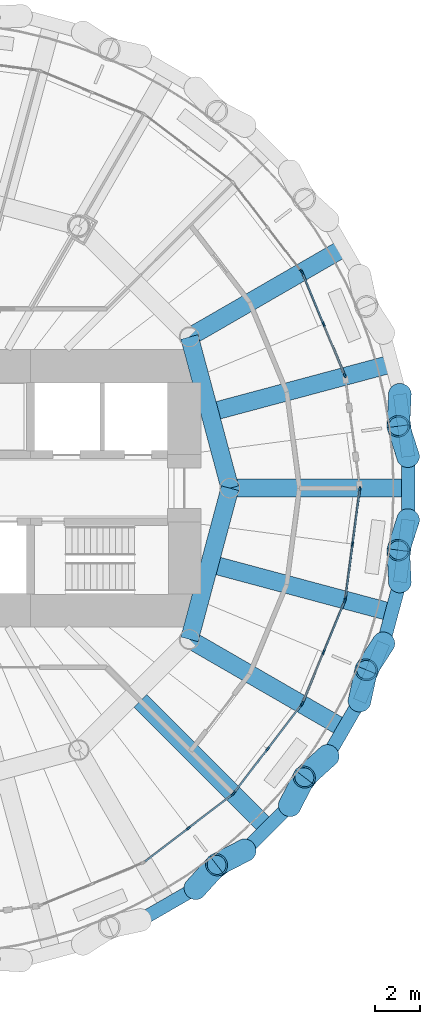
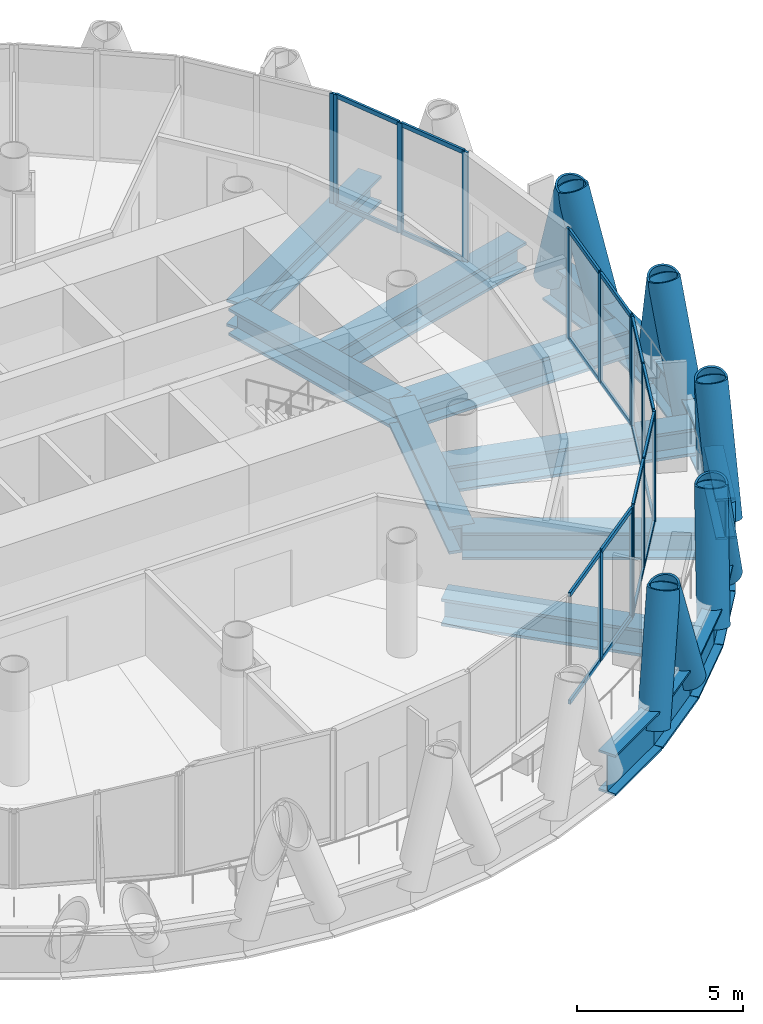
# One storey, part 5 of 15: 45 members, 18 beams, 6 elements without a shape of their own.
"""IFC4 building model written with IfcOpenShell, lengths in metres."""

import ifcopenshell
import ifcopenshell.guid

model = None  # the IFC model being written
_history = None  # IfcOwnerHistory: only IFC2X3 demands one
_inside = {}  # id of a spatial element -> (the spatial element, [elements in it])
_under = {}  # id of a project, library or spatial element -> (it, [spatial elements below it])
_declared = {}  # id of a project -> (the project, [libraries it declares])
_typed = {}  # id of a type object -> (the type object, [elements of that type])
_made_of = {}  # id of a material, layer set ... -> (it, [elements and type objects made of it])


def new_model(schema):
    """Start an empty IFC model of exactly this schema.

    Asked for "IFC4X3", IfcOpenShell would pick the latest addendum, in which some entities
    have other attributes; the version numbers below select the first issue.
    IFC2X3 requires an IfcOwnerHistory on every rooted entity: one is made here for all.
    """
    global model, _history
    if schema == "IFC4X3":
        model = ifcopenshell.file(schema_version=(4, 3, 0, 0))
    else:
        model = ifcopenshell.file(schema=schema)
    _inside.clear()
    _under.clear()
    _declared.clear()
    _typed.clear()
    _made_of.clear()
    _history = None
    if model.schema == "IFC2X3":
        org = make("IfcOrganization", Name="unknown")
        user = make(
            "IfcPersonAndOrganization",
            ThePerson=make("IfcPerson", FamilyName="unknown"),
            TheOrganization=org,
        )
        app = make(
            "IfcApplication",
            ApplicationDeveloper=org,
            Version="unknown",
            ApplicationFullName="unknown",
            ApplicationIdentifier="unknown",
        )
        _history = make(
            "IfcOwnerHistory",
            OwningUser=user,
            OwningApplication=app,
            ChangeAction="ADDED",
            CreationDate=0,
        )
    return model


def make(cls, **values):
    """One entity of the class cls with the attributes given. An attribute that is None is left unset."""
    return model.create_entity(
        cls, **{name: value for name, value in values.items() if value is not None}
    )


def rooted(cls, **values):
    """An entity with a GlobalId (a new one), such as an element, a storey or a relation."""
    return make(cls, GlobalId=ifcopenshell.guid.new(), OwnerHistory=_history, **values)


def si_unit(unit_type, name, prefix=None):
    """IfcSIUnit, for example si_unit("LENGTHUNIT", "METRE", prefix="MILLI")."""
    return make("IfcSIUnit", UnitType=unit_type, Prefix=prefix, Name=name)


def assignment(units):
    """IfcUnitAssignment: the units of a project."""
    return None if units is None else make("IfcUnitAssignment", Units=units)


def point(xyz):
    """IfcCartesianPoint."""
    return None if xyz is None else make("IfcCartesianPoint", Coordinates=xyz)


def direction(xyz):
    """IfcDirection."""
    return None if xyz is None else make("IfcDirection", DirectionRatios=xyz)


def frame(location, z_axis=None, x_axis=None):
    """IfcAxis2Placement3D, a coordinate frame: its origin and axes. An axis left out is left unset."""
    return make(
        "IfcAxis2Placement3D",
        Location=point(location),
        Axis=direction(z_axis),
        RefDirection=direction(x_axis),
    )


def frame_2d(location, x_axis=None):
    """IfcAxis2Placement2D, a coordinate frame in the plane: its origin and x axis."""
    return make(
        "IfcAxis2Placement2D", Location=point(location), RefDirection=direction(x_axis)
    )


def origin():
    """The frame at (0, 0, 0) with its axes left unset."""
    return frame((0.0, 0.0, 0.0))


def origin_2d():
    """The frame at (0, 0) in the plane with its x axis left unset."""
    return frame_2d((0.0, 0.0))


def place(relative_to, where):
    """IfcLocalPlacement: puts the frame where relative to a parent placement (None: the world)."""
    return make(
        "IfcLocalPlacement", PlacementRelTo=relative_to, RelativePlacement=where
    )


def context(
    kind, dimensions, precision=None, world=None, true_north=None, identifier=None
):
    """IfcGeometricRepresentationContext, for example the 3D "Model" context."""
    return make(
        "IfcGeometricRepresentationContext",
        ContextIdentifier=identifier,
        ContextType=kind,
        CoordinateSpaceDimension=dimensions,
        Precision=precision,
        WorldCoordinateSystem=world,
        TrueNorth=true_north,
    )


def subcontext(parent, identifier, kind, view, scale=None):
    """IfcGeometricRepresentationSubContext, for example "Body" below "Model"."""
    return make(
        "IfcGeometricRepresentationSubContext",
        ContextIdentifier=identifier,
        ContextType=kind,
        ParentContext=parent,
        TargetScale=scale,
        TargetView=view,
    )


def project(units=None, contexts=None):
    """IfcProject with its units and contexts."""
    return rooted(
        "IfcProject",
        Name="project",
        RepresentationContexts=contexts,
        UnitsInContext=assignment(units),
    )


def spatial(cls, under=None, at=None, **own):
    """A site, building, storey or space (cls), placed at a placement, below another one or the project."""
    s = rooted(cls, ObjectPlacement=at, **own)
    if under is not None:
        _under.setdefault(under.id(), (under, []))[1].append(s)
    return s


def profile(cls, at=None, kind="AREA", **sizes):
    """A parametric profile (cls). Its sizes go by their IFC names, for example OverallWidth=200.0."""
    return make(cls, ProfileType=kind, Position=at, **sizes)


def rectangle(**sizes):
    """IfcRectangleProfileDef."""
    return profile("IfcRectangleProfileDef", **sizes)


def hollow_circle(**sizes):
    """IfcCircleHollowProfileDef."""
    return profile("IfcCircleHollowProfileDef", **sizes)


def i_section(**sizes):
    """IfcIShapeProfileDef."""
    return profile("IfcIShapeProfileDef", **sizes)


def extrude(swept, where, along, depth):
    """IfcExtrudedAreaSolid: the profile swept, set in the frame where, extruded along a direction by depth."""
    return make(
        "IfcExtrudedAreaSolid",
        SweptArea=swept,
        Position=where,
        ExtrudedDirection=direction(along),
        Depth=depth,
    )


def shape(context_of_items, identifier, shape_type, items):
    """IfcShapeRepresentation: the items that make up one representation, for example the "Body"."""
    return make(
        "IfcShapeRepresentation",
        ContextOfItems=context_of_items,
        RepresentationIdentifier=identifier,
        RepresentationType=shape_type,
        Items=items,
    )


def material(Name=None, Category=None):
    """IfcMaterial."""
    return make("IfcMaterial", Name=Name, Category=Category)


def material_profile(
    of_material, cross_section, Name=None, Category=None, Priority=None
):
    """IfcMaterialProfile: a cross section and its material."""
    return make(
        "IfcMaterialProfile",
        Name=Name,
        Material=of_material,
        Profile=cross_section,
        Priority=Priority,
        Category=Category,
    )


def profile_set(profiles, Name=None, composite=None):
    """IfcMaterialProfileSet."""
    return make(
        "IfcMaterialProfileSet",
        Name=Name,
        MaterialProfiles=profiles,
        CompositeProfile=composite,
    )


def made_of(thing, what):
    """Note that an element or type object is made of a material, layer set ...; save() writes the relation."""
    if what is not None:
        _made_of.setdefault(what.id(), (what, []))[1].append(thing)
    return thing


def type_object(cls, material=None, **own):
    """A type object (cls), such as IfcWallType, which elements share."""
    return made_of(rooted(cls, **own), material)


def element(
    cls,
    number,
    at=None,
    inside=None,
    cuts=None,
    type_object=None,
    material=None,
    context=None,
    identifier="Body",
    shape_type=None,
    held_by="IfcProductDefinitionShape",
    body=None,
    shapes=None,
    **own,
):
    """One element of the class cls, such as IfcWall. Its Tag is "e" and its number.

    at: its placement. inside: the storey or other place that contains it. cuts: it is an
    opening in that element (IfcRelVoidsElement). A single representation is given by context,
    identifier, shape_type and body (its items); several are given by shapes. held_by: the class
    of the entity that holds the representations. save() writes the other relations.
    """
    e = rooted(cls, Tag="e%d" % number, ObjectPlacement=at, **own)
    if body is not None:
        shapes = [shape(context, identifier, shape_type, body)]
    if shapes is not None:
        e.Representation = make(held_by, Representations=shapes)
    if inside is not None:
        _inside.setdefault(inside.id(), (inside, []))[1].append(e)
    if cuts is not None:
        rooted(
            "IfcRelVoidsElement", RelatingBuildingElement=cuts, RelatedOpeningElement=e
        )
    if type_object is not None:
        _typed.setdefault(type_object.id(), (type_object, []))[1].append(e)
    return made_of(e, material)


def aggregate(whole, parts):
    """IfcRelAggregates: a whole, such as a stair, and the parts it consists of."""
    return rooted("IfcRelAggregates", RelatingObject=whole, RelatedObjects=parts)


def save(model, path):
    """Write the relations noted so far, then the file.

    IfcRelAggregates (storeys below a building ...), IfcRelContainedInSpatialStructure (elements
    in a storey), IfcRelDefinesByType, IfcRelAssociatesMaterial and IfcRelDeclares: one each for
    every whole, place, type object, material and project.
    """
    for whole, parts in _under.values():
        aggregate(whole, parts)
    for where, things in _inside.values():
        rooted(
            "IfcRelContainedInSpatialStructure",
            RelatedElements=things,
            RelatingStructure=where,
        )
    for kind, things in _typed.values():
        rooted("IfcRelDefinesByType", RelatedObjects=things, RelatingType=kind)
    for what, things in _made_of.values():
        rooted("IfcRelAssociatesMaterial", RelatedObjects=things, RelatingMaterial=what)
    for by, libraries in _declared.values():
        rooted("IfcRelDeclares", RelatingContext=by, RelatedDefinitions=libraries)
    model.write(path)


model = new_model("IFC4")

# Units and contexts
model_context = context("Model", 3, precision=1e-05, world=origin(), true_north=direction((0.0, 1.0)))
body_context = subcontext(model_context, "Body", "Model", "MODEL_VIEW")
ifc_project = project(units=[si_unit("LENGTHUNIT", "METRE"), si_unit("AREAUNIT", "SQUARE_METRE"), si_unit("VOLUMEUNIT", "CUBIC_METRE"), si_unit("PLANEANGLEUNIT", "RADIAN"), si_unit("MASSUNIT", "GRAM", prefix="KILO")], contexts=[model_context])

# Site, building, storey
site_placement = place(None, origin())
site = spatial("IfcSite", under=ifc_project, at=site_placement, CompositionType="ELEMENT")
building_placement = place(site_placement, origin())
building = spatial("IfcBuilding", under=site, at=building_placement, Name="Qaws Media Tower", CompositionType="ELEMENT")
storey_placement = place(building_placement, frame((0.0, 0.0, 265.39990234375)))
storey = spatial("IfcBuildingStorey", under=building, at=storey_placement, Name="L61", CompositionType="ELEMENT", Elevation=265.39990234375)

# Curtain wall, members
ifc_material_1 = material(Name="Aluminium and clear glass", Category="aluminium")
curtain_wall_type = type_object("IfcCurtainWallType", Name="Unitised curtain wall CW-D", PredefinedType="NOTDEFINED", material=ifc_material_1)
curtain_wall_1_placement = place(storey_placement, origin())
curtain_wall_1 = element("IfcCurtainWall", 1, at=curtain_wall_1_placement, inside=storey, type_object=curtain_wall_type, Name="CWD curtain wall L61-02", PredefinedType="NOTDEFINED")
ifc_material_2 = material(Name="Aluminium mullion", Category="aluminium")
ifc_material_profile_1 = material_profile(ifc_material_2, rectangle(XDim=0.080078125, YDim=0.199951171875, at=origin_2d()), Name="80x200")
ifc_profile_set_1 = profile_set([ifc_material_profile_1], Name="Aluminium mullion")
member_type_1 = type_object("IfcMemberType", Name="Curtain wall mullion 80x200", PredefinedType="MULLION", material=ifc_profile_set_1)
member_1_placement = place(storey_placement, frame((78.626953125, 55.0322265625, 0.0), z_axis=(0.0, 0.0, 1.0), x_axis=(-0.923879530855, -0.382683436364, 0.0)))
member_1 = element("IfcMember", 2, at=member_1_placement, type_object=member_type_1, Name="CWD mullion 1", PredefinedType="MULLION", context=body_context, shape_type="SweptSolid", body=[
    extrude(rectangle(XDim=0.080078125, YDim=0.199951171875, at=origin_2d()), origin(), (0.0, 0.0, 1.0), 4.0400390625),
])
member_2_placement = place(storey_placement, frame((77.67822265625, 57.322509765625, 0.0), z_axis=(0.0, 0.0, 1.0), x_axis=(-0.923879530855, -0.382683436364, 0.0)))
member_2 = element("IfcMember", 3, at=member_2_placement, type_object=member_type_1, Name="CWD mullion 2", PredefinedType="MULLION", context=body_context, shape_type="SweptSolid", body=[
    extrude(rectangle(XDim=0.080078125, YDim=0.199951171875, at=origin_2d()), origin(), (0.0, 0.0, 1.0), 4.0400390625),
])
member_3_placement = place(storey_placement, frame((76.7294921875, 59.613037109375, 0.0), z_axis=(0.0, 0.0, 1.0), x_axis=(-0.923879530855, -0.382683436364, 0.0)))
member_3 = element("IfcMember", 4, at=member_3_placement, type_object=member_type_1, Name="CWD mullion 3", PredefinedType="MULLION", context=body_context, shape_type="SweptSolid", body=[
    extrude(rectangle(XDim=0.080078125, YDim=0.199951171875, at=origin_2d()), origin(), (0.0, 0.0, 1.0), 4.0400390625),
])

# Curtain wall, member
curtain_wall_2_placement = place(storey_placement, origin())
curtain_wall_2 = element("IfcCurtainWall", 5, at=curtain_wall_2_placement, inside=storey, type_object=curtain_wall_type, Name="CWD curtain wall L61-03", PredefinedType="NOTDEFINED")
member_4_placement = place(storey_placement, frame((76.68994140625, 59.681640625, 0.0), z_axis=(0.0, 0.0, 1.0), x_axis=(-0.79335338924, -0.608761365217, 0.0)))
member_4 = element("IfcMember", 6, at=member_4_placement, type_object=member_type_1, Name="CWD mullion 1", PredefinedType="MULLION", context=body_context, shape_type="SweptSolid", body=[
    extrude(rectangle(XDim=0.080078125, YDim=0.199951171875, at=origin_2d()), origin(), (0.0, 0.0, 1.0), 4.0400390625),
])
aggregate(curtain_wall_2, [member_4])

# Curtain wall, members
curtain_wall_3_placement = place(storey_placement, origin())
curtain_wall_3 = element("IfcCurtainWall", 7, at=curtain_wall_3_placement, inside=storey, type_object=curtain_wall_type, Name="CWD curtain wall L61-21", PredefinedType="NOTDEFINED")
member_5_placement = place(storey_placement, frame((71.648681640625, 34.8193359375, 0.0), z_axis=(0.0, 0.0, 1.0), x_axis=(-0.608761365217, 0.79335338924, 0.0)))
member_5 = element("IfcMember", 8, at=member_5_placement, type_object=member_type_1, Name="CWD mullion 2", PredefinedType="MULLION", context=body_context, shape_type="SweptSolid", body=[
    extrude(rectangle(XDim=0.080078125, YDim=0.199951171875, at=origin_2d()), origin(), (0.0, 0.0, 1.0), 4.0400390625),
])
member_6_placement = place(storey_placement, frame((73.615478515625, 36.328369140625, 0.0), z_axis=(0.0, 0.0, 1.0), x_axis=(-0.608761365217, 0.79335338924, 0.0)))
member_6 = element("IfcMember", 9, at=member_6_placement, type_object=member_type_1, Name="CWD mullion 3", PredefinedType="MULLION", context=body_context, shape_type="SweptSolid", body=[
    extrude(rectangle(XDim=0.080078125, YDim=0.199951171875, at=origin_2d()), origin(), (0.0, 0.0, 1.0), 4.0400390625),
])

curtain_wall_4_placement = place(storey_placement, origin())
curtain_wall_4 = element("IfcCurtainWall", 10, at=curtain_wall_4_placement, inside=storey, type_object=curtain_wall_type, Name="CWD curtain wall L61-22", PredefinedType="NOTDEFINED")
member_7_placement = place(storey_placement, frame((73.671630859375, 36.384521484375, 0.0), z_axis=(0.0, 0.0, 1.0), x_axis=(-0.79335338924, 0.608761365217, 0.0)))
member_7 = element("IfcMember", 11, at=member_7_placement, type_object=member_type_1, Name="CWD mullion 1", PredefinedType="MULLION", context=body_context, shape_type="SweptSolid", body=[
    extrude(rectangle(XDim=0.080078125, YDim=0.199951171875, at=origin_2d()), origin(), (0.0, 0.0, 1.0), 4.0400390625),
])
member_8_placement = place(storey_placement, frame((75.1806640625, 38.351318359375, 0.0), z_axis=(0.0, 0.0, 1.0), x_axis=(-0.79335338924, 0.608761365217, 0.0)))
member_8 = element("IfcMember", 12, at=member_8_placement, type_object=member_type_1, Name="CWD mullion 2", PredefinedType="MULLION", context=body_context, shape_type="SweptSolid", body=[
    extrude(rectangle(XDim=0.080078125, YDim=0.199951171875, at=origin_2d()), origin(), (0.0, 0.0, 1.0), 4.0400390625),
])
member_9_placement = place(storey_placement, frame((76.68994140625, 40.318359375, 0.0), z_axis=(0.0, 0.0, 1.0), x_axis=(-0.79335338924, 0.608761365217, 0.0)))
member_9 = element("IfcMember", 13, at=member_9_placement, type_object=member_type_1, Name="CWD mullion 3", PredefinedType="MULLION", context=body_context, shape_type="SweptSolid", body=[
    extrude(rectangle(XDim=0.080078125, YDim=0.199951171875, at=origin_2d()), origin(), (0.0, 0.0, 1.0), 4.0400390625),
])

curtain_wall_5_placement = place(storey_placement, origin())
curtain_wall_5 = element("IfcCurtainWall", 14, at=curtain_wall_5_placement, inside=storey, type_object=curtain_wall_type, Name="CWD curtain wall L61-23", PredefinedType="NOTDEFINED")
member_10_placement = place(storey_placement, frame((76.7294921875, 40.386962890625, 0.0), z_axis=(0.0, 0.0, 1.0), x_axis=(-0.923879530855, 0.382683436364, 0.0)))
member_10 = element("IfcMember", 15, at=member_10_placement, type_object=member_type_1, Name="CWD mullion 1", PredefinedType="MULLION", context=body_context, shape_type="SweptSolid", body=[
    extrude(rectangle(XDim=0.080078125, YDim=0.199951171875, at=origin_2d()), origin(), (0.0, 0.0, 1.0), 4.0400390625),
])
member_11_placement = place(storey_placement, frame((77.67822265625, 42.677490234375, 0.0), z_axis=(0.0, 0.0, 1.0), x_axis=(-0.923879530855, 0.382683436364, 0.0)))
member_11 = element("IfcMember", 16, at=member_11_placement, type_object=member_type_1, Name="CWD mullion 2", PredefinedType="MULLION", context=body_context, shape_type="SweptSolid", body=[
    extrude(rectangle(XDim=0.080078125, YDim=0.199951171875, at=origin_2d()), origin(), (0.0, 0.0, 1.0), 4.0400390625),
])
member_12_placement = place(storey_placement, frame((78.626953125, 44.9677734375, 0.0), z_axis=(0.0, 0.0, 1.0), x_axis=(-0.923879530855, 0.382683436364, 0.0)))
member_12 = element("IfcMember", 17, at=member_12_placement, type_object=member_type_1, Name="CWD mullion 3", PredefinedType="MULLION", context=body_context, shape_type="SweptSolid", body=[
    extrude(rectangle(XDim=0.080078125, YDim=0.199951171875, at=origin_2d()), origin(), (0.0, 0.0, 1.0), 4.0400390625),
])

curtain_wall_6_placement = place(storey_placement, origin())
curtain_wall_6 = element("IfcCurtainWall", 18, at=curtain_wall_6_placement, inside=storey, type_object=curtain_wall_type, Name="CWD curtain wall L61-24", PredefinedType="NOTDEFINED")
member_13_placement = place(storey_placement, frame((78.647705078125, 45.04443359375, 0.0), z_axis=(0.0, 0.0, 1.0), x_axis=(-0.991444851334, 0.130526268479, 0.0)))
member_13 = element("IfcMember", 19, at=member_13_placement, type_object=member_type_1, Name="CWD mullion 1", PredefinedType="MULLION", context=body_context, shape_type="SweptSolid", body=[
    extrude(rectangle(XDim=0.080078125, YDim=0.199951171875, at=origin_2d()), origin(), (0.0, 0.0, 1.0), 4.0400390625),
])
member_14_placement = place(storey_placement, frame((78.97119140625, 47.50244140625, 0.0), z_axis=(0.0, 0.0, 1.0), x_axis=(-0.991444851334, 0.130526268479, 0.0)))
member_14 = element("IfcMember", 20, at=member_14_placement, type_object=member_type_1, Name="CWD mullion 2", PredefinedType="MULLION", context=body_context, shape_type="SweptSolid", body=[
    extrude(rectangle(XDim=0.080078125, YDim=0.199951171875, at=origin_2d()), origin(), (0.0, 0.0, 1.0), 4.0400390625),
])
member_15_placement = place(storey_placement, frame((79.294677734375, 49.96044921875, 0.0), z_axis=(0.0, 0.0, 1.0), x_axis=(-0.991444851334, 0.130526268479, 0.0)))
member_15 = element("IfcMember", 21, at=member_15_placement, type_object=member_type_1, Name="CWD mullion 3", PredefinedType="MULLION", context=body_context, shape_type="SweptSolid", body=[
    extrude(rectangle(XDim=0.080078125, YDim=0.199951171875, at=origin_2d()), origin(), (0.0, 0.0, 1.0), 4.0400390625),
])

# Member
ifc_material_3 = material(Name="Aluminium transom", Category="aluminium")
ifc_material_profile_2 = material_profile(ifc_material_3, rectangle(XDim=0.080078125, YDim=0.159912109375, at=origin_2d()), Name="80x160")
ifc_profile_set_2 = profile_set([ifc_material_profile_2], Name="Aluminium transom")
member_type_2 = type_object("IfcMemberType", Name="Curtain wall transom 80x160", PredefinedType="USERDEFINED", material=ifc_profile_set_2)
member_16_placement = place(storey_placement, frame((78.61181640625, 55.069091796875, 0.0400390625), z_axis=(-0.382714272026, 0.923866757703, 0.0), x_axis=(-0.923866757703, -0.382714272026, 0.0)))
member_16 = element("IfcMember", 22, at=member_16_placement, type_object=member_type_2, Name="CWD transom 1.1", ObjectType="TRANSOM", PredefinedType="USERDEFINED", context=body_context, shape_type="SweptSolid", body=[
    extrude(rectangle(XDim=0.080078125, YDim=0.159912109375, at=origin_2d()), origin(), (0.0, 0.0, 1.0), 2.399169921875),
])

member_17_placement = place(storey_placement, frame((78.61181640625, 55.069091796875, 4.0), z_axis=(-0.382714272026, 0.923866757703, 0.0), x_axis=(-0.923866757703, -0.382714272026, 0.0)))
member_17 = element("IfcMember", 23, at=member_17_placement, type_object=member_type_2, Name="CWD transom 1.2", ObjectType="TRANSOM", PredefinedType="USERDEFINED", context=body_context, shape_type="SweptSolid", body=[
    extrude(rectangle(XDim=0.080078125, YDim=0.159912109375, at=origin_2d()), origin(), (0.0, 0.0, 1.0), 2.399169921875),
])

member_18_placement = place(storey_placement, frame((77.6630859375, 57.359619140625, 0.0400390625), z_axis=(-0.382714272026, 0.923866757703, 0.0), x_axis=(-0.923866757703, -0.382714272026, 0.0)))
member_18 = element("IfcMember", 24, at=member_18_placement, type_object=member_type_2, Name="CWD transom 2.1", ObjectType="TRANSOM", PredefinedType="USERDEFINED", context=body_context, shape_type="SweptSolid", body=[
    extrude(rectangle(XDim=0.080078125, YDim=0.159912109375, at=origin_2d()), origin(), (0.0, 0.0, 1.0), 2.399169921875),
])

member_19_placement = place(storey_placement, frame((77.6630859375, 57.359619140625, 4.0), z_axis=(-0.382714272026, 0.923866757703, 0.0), x_axis=(-0.923866757703, -0.382714272026, 0.0)))
member_19 = element("IfcMember", 25, at=member_19_placement, type_object=member_type_2, Name="CWD transom 2.2", ObjectType="TRANSOM", PredefinedType="USERDEFINED", context=body_context, shape_type="SweptSolid", body=[
    extrude(rectangle(XDim=0.080078125, YDim=0.159912109375, at=origin_2d()), origin(), (0.0, 0.0, 1.0), 2.399169921875),
])

aggregate(curtain_wall_1, [member_1, member_2, member_3, member_16, member_17, member_18, member_19])

member_20_placement = place(storey_placement, frame((69.71337890625, 33.33447265625, 0.0400390625), z_axis=(0.793395038858, 0.608707082525, 0.0), x_axis=(-0.608707082525, 0.793395038858, 0.0)))
member_20 = element("IfcMember", 26, at=member_20_placement, type_object=member_type_2, Name="CWD transom 1.1", ObjectType="TRANSOM", PredefinedType="USERDEFINED", context=body_context, shape_type="SweptSolid", body=[
    extrude(rectangle(XDim=0.080078125, YDim=0.159912109375, at=origin_2d()), origin(), (0.0, 0.0, 1.0), 2.399169921875),
])

member_21_placement = place(storey_placement, frame((69.71337890625, 33.33447265625, 4.0), z_axis=(0.793395038858, 0.608707082525, 0.0), x_axis=(-0.608707082525, 0.793395038858, 0.0)))
member_21 = element("IfcMember", 27, at=member_21_placement, type_object=member_type_2, Name="CWD transom 1.2", ObjectType="TRANSOM", PredefinedType="USERDEFINED", context=body_context, shape_type="SweptSolid", body=[
    extrude(rectangle(XDim=0.080078125, YDim=0.159912109375, at=origin_2d()), origin(), (0.0, 0.0, 1.0), 2.399169921875),
])

member_22_placement = place(storey_placement, frame((71.680419921875, 34.843505859375, 0.0400390625), z_axis=(0.793308183126, 0.608820274454, 0.0), x_axis=(-0.608820274454, 0.793308183126, 0.0)))
member_22 = element("IfcMember", 28, at=member_22_placement, type_object=member_type_2, Name="CWD transom 2.1", ObjectType="TRANSOM", PredefinedType="USERDEFINED", context=body_context, shape_type="SweptSolid", body=[
    extrude(rectangle(XDim=0.080078125, YDim=0.159912109375, at=origin_2d()), origin(), (0.0, 0.0, 1.0), 2.399169921875),
])

member_23_placement = place(storey_placement, frame((71.680419921875, 34.843505859375, 4.0), z_axis=(0.793308183126, 0.608820274454, 0.0), x_axis=(-0.608820274454, 0.793308183126, 0.0)))
member_23 = element("IfcMember", 29, at=member_23_placement, type_object=member_type_2, Name="CWD transom 2.2", ObjectType="TRANSOM", PredefinedType="USERDEFINED", context=body_context, shape_type="SweptSolid", body=[
    extrude(rectangle(XDim=0.080078125, YDim=0.159912109375, at=origin_2d()), origin(), (0.0, 0.0, 1.0), 2.399169921875),
])

aggregate(curtain_wall_3, [member_5, member_6, member_20, member_21, member_22, member_23])

member_24_placement = place(storey_placement, frame((73.69580078125, 36.416259765625, 0.0400390625), z_axis=(0.608820274454, 0.793308183126, 0.0), x_axis=(-0.793308183126, 0.608820274454, 0.0)))
member_24 = element("IfcMember", 30, at=member_24_placement, type_object=member_type_2, Name="CWD transom 1.1", ObjectType="TRANSOM", PredefinedType="USERDEFINED", context=body_context, shape_type="SweptSolid", body=[
    extrude(rectangle(XDim=0.080078125, YDim=0.159912109375, at=origin_2d()), origin(), (0.0, 0.0, 1.0), 2.399169921875),
])

member_25_placement = place(storey_placement, frame((73.69580078125, 36.416259765625, 4.0), z_axis=(0.608820274454, 0.793308183126, 0.0), x_axis=(-0.793308183126, 0.608820274454, 0.0)))
member_25 = element("IfcMember", 31, at=member_25_placement, type_object=member_type_2, Name="CWD transom 1.2", ObjectType="TRANSOM", PredefinedType="USERDEFINED", context=body_context, shape_type="SweptSolid", body=[
    extrude(rectangle(XDim=0.080078125, YDim=0.159912109375, at=origin_2d()), origin(), (0.0, 0.0, 1.0), 2.399169921875),
])

member_26_placement = place(storey_placement, frame((75.205078125, 38.383056640625, 0.0400390625), z_axis=(0.608707082525, 0.793395038858, 0.0), x_axis=(-0.793395038858, 0.608707082525, 0.0)))
member_26 = element("IfcMember", 32, at=member_26_placement, type_object=member_type_2, Name="CWD transom 2.1", ObjectType="TRANSOM", PredefinedType="USERDEFINED", context=body_context, shape_type="SweptSolid", body=[
    extrude(rectangle(XDim=0.080078125, YDim=0.159912109375, at=origin_2d()), origin(), (0.0, 0.0, 1.0), 2.399169921875),
])

member_27_placement = place(storey_placement, frame((75.205078125, 38.383056640625, 4.0), z_axis=(0.608707082525, 0.793395038858, 0.0), x_axis=(-0.793395038858, 0.608707082525, 0.0)))
member_27 = element("IfcMember", 33, at=member_27_placement, type_object=member_type_2, Name="CWD transom 2.2", ObjectType="TRANSOM", PredefinedType="USERDEFINED", context=body_context, shape_type="SweptSolid", body=[
    extrude(rectangle(XDim=0.080078125, YDim=0.159912109375, at=origin_2d()), origin(), (0.0, 0.0, 1.0), 2.399169921875),
])

aggregate(curtain_wall_4, [member_7, member_8, member_9, member_24, member_25, member_26, member_27])

member_28_placement = place(storey_placement, frame((76.744873046875, 40.423828125, 0.0400390625), z_axis=(0.382714272026, 0.923866757703, 0.0), x_axis=(-0.923866757703, 0.382714272026, 0.0)))
member_28 = element("IfcMember", 34, at=member_28_placement, type_object=member_type_2, Name="CWD transom 1.1", ObjectType="TRANSOM", PredefinedType="USERDEFINED", context=body_context, shape_type="SweptSolid", body=[
    extrude(rectangle(XDim=0.080078125, YDim=0.159912109375, at=origin_2d()), origin(), (0.0, 0.0, 1.0), 2.399169921875),
])

member_29_placement = place(storey_placement, frame((76.744873046875, 40.423828125, 4.0), z_axis=(0.382714272026, 0.923866757703, 0.0), x_axis=(-0.923866757703, 0.382714272026, 0.0)))
member_29 = element("IfcMember", 35, at=member_29_placement, type_object=member_type_2, Name="CWD transom 1.2", ObjectType="TRANSOM", PredefinedType="USERDEFINED", context=body_context, shape_type="SweptSolid", body=[
    extrude(rectangle(XDim=0.080078125, YDim=0.159912109375, at=origin_2d()), origin(), (0.0, 0.0, 1.0), 2.399169921875),
])

member_30_placement = place(storey_placement, frame((77.693603515625, 42.71435546875, 0.0400390625), z_axis=(0.382714272026, 0.923866757703, 0.0), x_axis=(-0.923866757703, 0.382714272026, 0.0)))
member_30 = element("IfcMember", 36, at=member_30_placement, type_object=member_type_2, Name="CWD transom 2.1", ObjectType="TRANSOM", PredefinedType="USERDEFINED", context=body_context, shape_type="SweptSolid", body=[
    extrude(rectangle(XDim=0.080078125, YDim=0.159912109375, at=origin_2d()), origin(), (0.0, 0.0, 1.0), 2.399169921875),
])

member_31_placement = place(storey_placement, frame((77.693603515625, 42.71435546875, 4.0), z_axis=(0.382714272026, 0.923866757703, 0.0), x_axis=(-0.923866757703, 0.382714272026, 0.0)))
member_31 = element("IfcMember", 37, at=member_31_placement, type_object=member_type_2, Name="CWD transom 2.2", ObjectType="TRANSOM", PredefinedType="USERDEFINED", context=body_context, shape_type="SweptSolid", body=[
    extrude(rectangle(XDim=0.080078125, YDim=0.159912109375, at=origin_2d()), origin(), (0.0, 0.0, 1.0), 2.399169921875),
])

aggregate(curtain_wall_5, [member_10, member_11, member_12, member_28, member_29, member_30, member_31])

member_32_placement = place(storey_placement, frame((78.65283203125, 45.084228515625, 0.0400390625), z_axis=(0.130570344699, 0.99143904759, 0.0), x_axis=(-0.99143904759, 0.130570344699, 0.0)))
member_32 = element("IfcMember", 38, at=member_32_placement, type_object=member_type_2, Name="CWD transom 1.1", ObjectType="TRANSOM", PredefinedType="USERDEFINED", context=body_context, shape_type="SweptSolid", body=[
    extrude(rectangle(XDim=0.080078125, YDim=0.159912109375, at=origin_2d()), origin(), (0.0, 0.0, 1.0), 2.39892578125),
])

member_33_placement = place(storey_placement, frame((78.65283203125, 45.084228515625, 4.0), z_axis=(0.130570344699, 0.99143904759, 0.0), x_axis=(-0.99143904759, 0.130570344699, 0.0)))
member_33 = element("IfcMember", 39, at=member_33_placement, type_object=member_type_2, Name="CWD transom 1.2", ObjectType="TRANSOM", PredefinedType="USERDEFINED", context=body_context, shape_type="SweptSolid", body=[
    extrude(rectangle(XDim=0.080078125, YDim=0.159912109375, at=origin_2d()), origin(), (0.0, 0.0, 1.0), 2.39892578125),
])

member_34_placement = place(storey_placement, frame((78.976318359375, 47.5419921875, 0.0400390625), z_axis=(0.130557171689, 0.991440782357, 0.0), x_axis=(-0.991440782357, 0.130557171689, 0.0)))
member_34 = element("IfcMember", 40, at=member_34_placement, type_object=member_type_2, Name="CWD transom 2.1", ObjectType="TRANSOM", PredefinedType="USERDEFINED", context=body_context, shape_type="SweptSolid", body=[
    extrude(rectangle(XDim=0.080078125, YDim=0.159912109375, at=origin_2d()), origin(), (0.0, 0.0, 1.0), 2.399169921875),
])

member_35_placement = place(storey_placement, frame((78.976318359375, 47.5419921875, 4.0), z_axis=(0.130557171689, 0.991440782357, 0.0), x_axis=(-0.991440782357, 0.130557171689, 0.0)))
member_35 = element("IfcMember", 41, at=member_35_placement, type_object=member_type_2, Name="CWD transom 2.2", ObjectType="TRANSOM", PredefinedType="USERDEFINED", context=body_context, shape_type="SweptSolid", body=[
    extrude(rectangle(XDim=0.080078125, YDim=0.159912109375, at=origin_2d()), origin(), (0.0, 0.0, 1.0), 2.399169921875),
])

aggregate(curtain_wall_6, [member_13, member_14, member_15, member_32, member_33, member_34, member_35])

# Members
ifc_material_4 = material(Name="Steel S460", Category="steel")
ifc_material_profile_3 = material_profile(ifc_material_4, hollow_circle(Radius=0.508056640625, WallThickness=0.070068359375, at=origin_2d()), Name="CHS 1016x70")
ifc_profile_set_3 = profile_set([ifc_material_profile_3], Name="Steel S460")
member_type_3 = type_object("IfcMemberType", Name="Diagrid member CHS 1016x70", PredefinedType="USERDEFINED", material=ifc_profile_set_3)
for number, where, z_axis, x_axis, name in (
    (42, (81.453857421875, 51.40625, -0.909912109375), (-0.0981224127, 0.306749483111, 0.946718937561), (-0.952457869981, -0.304670323318, 0.0), "DG3 diagrid L61 A01"),
    (43, (81.453857421875, 48.59375, -0.909912109375), (-0.0981224127, -0.306749483111, 0.946718937561), (0.952457869981, -0.304670323318, 0.0), "DG3 diagrid L61 B01"),
    (44, (81.0869140625, 54.1943359375, -0.909912109375), (-0.015408886493, -0.321715537287, 0.946710979806), (0.998854956417, -0.047841154259, 0.0), "DG3 diagrid L61 B02"),
    (45, (71.94482421875, 32.123291015625, -0.909912109375), (0.216603539837, 0.23839596915, 0.946704953205), (-0.740125584559, 0.672468675167, 0.0), "DG3 diagrid L61 A21"),
    (46, (76.16455078125, 35.823974609375, -0.909912109375), (0.147539003744, 0.286328025543, 0.946704021415), (-0.888928182068, 0.458046599294, 0.0), "DG3 diagrid L61 A22"),
    (47, (74.176025390625, 33.83544921875, -0.909912109375), (-0.286328025543, -0.147539003744, 0.946704021415), (0.458046599294, -0.888928182068, 0.0), "DG3 diagrid L61 B22"),
):
    element("IfcMember", number, at=place(storey_placement, frame(where, z_axis=z_axis, x_axis=x_axis)), inside=storey, type_object=member_type_3, Name=name, ObjectType="DIAGRID", PredefinedType="USERDEFINED", context=body_context, shape_type="SweptSolid", body=[
        extrude(hollow_circle(Radius=0.508056640625, WallThickness=0.070068359375, at=origin_2d()), origin(), (0.0, 0.0, 1.0), 4.436279296875),
    ])
member_36_placement = place(storey_placement, frame((79.28271484375, 40.49072265625, -0.909912109375), z_axis=(0.068403482981, 0.314777089822, 0.946697600736), x_axis=(-0.977193321259, 0.212351625581, 0.0)))
element("IfcMember", 48, at=member_36_placement, inside=storey, type_object=member_type_3, Name="DG3 diagrid L61 A23", ObjectType="DIAGRID", PredefinedType="USERDEFINED", context=body_context, shape_type="SweptSolid", body=[
    extrude(hollow_circle(Radius=0.508056640625, WallThickness=0.070068359375, at=origin_2d()), origin(), (0.0, 0.0, 1.0), 4.4365234375),
])
for number, where, z_axis, x_axis, name in (
    (49, (77.876708984375, 38.05517578125, -0.909912109375), (-0.23839596915, -0.216603539837, 0.946704953205), (0.672468675167, -0.740125584559, 0.0), "DG3 diagrid L61 B23"),
    (50, (81.0869140625, 45.8056640625, -0.909912109375), (-0.015408886493, 0.321715537287, 0.946710979806), (-0.998854956417, -0.047841154259, 0.0), "DG3 diagrid L61 A24"),
    (51, (80.35888671875, 43.089111328125, -0.909912109375), (-0.174175702835, -0.270921638249, 0.946712358887), (0.841161820397, -0.540783498183, 0.0), "DG3 diagrid L61 B24"),
):
    element("IfcMember", number, at=place(storey_placement, frame(where, z_axis=z_axis, x_axis=x_axis)), inside=storey, type_object=member_type_3, Name=name, ObjectType="DIAGRID", PredefinedType="USERDEFINED", context=body_context, shape_type="SweptSolid", body=[
        extrude(hollow_circle(Radius=0.508056640625, WallThickness=0.070068359375, at=origin_2d()), origin(), (0.0, 0.0, 1.0), 4.436279296875),
    ])

# Beams
ifc_material_5 = material(Name="Steel S460", Category="steel")
ifc_material_profile_4 = material_profile(ifc_material_5, i_section(OverallWidth=0.60009765625, OverallDepth=1.5, WebThickness=0.030029296875, FlangeThickness=0.080078125, at=origin_2d()), Name="PG 1500x600")
ifc_profile_set_4 = profile_set([ifc_material_profile_4], Name="Steel S460")
beam_type_1 = type_object("IfcBeamType", Name="Edge ring beam PG 1500x600", PredefinedType="BEAM", material=ifc_profile_set_4)
beam_1_placement = place(storey_placement, frame((81.453857421875, 51.40625, -0.909912109375), z_axis=(-0.13048595338, 0.991450158087, 0.0), x_axis=(-0.991450158087, -0.13048595338, 0.0)))
element("IfcBeam", 52, at=beam_1_placement, inside=storey, type_object=beam_type_1, Name="RB5 edge ring beam L61-01", PredefinedType="BEAM", context=body_context, shape_type="SweptSolid", body=[
    extrude(i_section(OverallWidth=0.60009765625, OverallDepth=1.5, WebThickness=0.030029296875, FlangeThickness=0.080078125, at=origin_2d()), origin(), (0.0, 0.0, 1.0), 2.81201171875),
])
beam_2_placement = place(storey_placement, frame((69.50927734375, 30.71728515625, -0.909912109375), z_axis=(0.866049697453, 0.499957919771, 0.0), x_axis=(-0.499957919771, 0.866049697453, 0.0)))
element("IfcBeam", 53, at=beam_2_placement, inside=storey, type_object=beam_type_1, Name="RB5 edge ring beam L61-40", PredefinedType="BEAM", context=body_context, shape_type="SweptSolid", body=[
    extrude(i_section(OverallWidth=0.60009765625, OverallDepth=1.5, WebThickness=0.030029296875, FlangeThickness=0.080078125, at=origin_2d()), origin(), (0.0, 0.0, 1.0), 2.812255859375),
])
beam_3_placement = place(storey_placement, frame((71.94482421875, 32.123291015625, -0.909912109375), z_axis=(0.793336626321, 0.60878321046, 0.0), x_axis=(-0.60878321046, 0.793336626321, 0.0)))
element("IfcBeam", 54, at=beam_3_placement, inside=storey, type_object=beam_type_1, Name="RB5 edge ring beam L61-41", PredefinedType="BEAM", context=body_context, shape_type="SweptSolid", body=[
    extrude(i_section(OverallWidth=0.60009765625, OverallDepth=1.5, WebThickness=0.030029296875, FlangeThickness=0.080078125, at=origin_2d()), origin(), (0.0, 0.0, 1.0), 2.8125),
])
beam_4_placement = place(storey_placement, frame((74.176025390625, 33.83544921875, -0.909912109375), z_axis=(0.707106781187, 0.707106781187, 0.0), x_axis=(-0.707106781187, 0.707106781187, 0.0)))
element("IfcBeam", 55, at=beam_4_placement, inside=storey, type_object=beam_type_1, Name="RB5 edge ring beam L61-42", PredefinedType="BEAM", context=body_context, shape_type="SweptSolid", body=[
    extrude(i_section(OverallWidth=0.60009765625, OverallDepth=1.5, WebThickness=0.030029296875, FlangeThickness=0.080078125, at=origin_2d()), origin(), (0.0, 0.0, 1.0), 2.812255859375),
])
beam_5_placement = place(storey_placement, frame((76.16455078125, 35.823974609375, -0.909912109375), z_axis=(0.60878321046, 0.793336626321, 0.0), x_axis=(-0.793336626321, 0.60878321046, 0.0)))
element("IfcBeam", 56, at=beam_5_placement, inside=storey, type_object=beam_type_1, Name="RB5 edge ring beam L61-43", PredefinedType="BEAM", context=body_context, shape_type="SweptSolid", body=[
    extrude(i_section(OverallWidth=0.60009765625, OverallDepth=1.5, WebThickness=0.030029296875, FlangeThickness=0.080078125, at=origin_2d()), origin(), (0.0, 0.0, 1.0), 2.8125),
])
beam_6_placement = place(storey_placement, frame((77.876708984375, 38.05517578125, -0.909912109375), z_axis=(0.499957919771, 0.866049697453, 0.0), x_axis=(-0.866049697453, 0.499957919771, 0.0)))
element("IfcBeam", 57, at=beam_6_placement, inside=storey, type_object=beam_type_1, Name="RB5 edge ring beam L61-44", PredefinedType="BEAM", context=body_context, shape_type="SweptSolid", body=[
    extrude(i_section(OverallWidth=0.60009765625, OverallDepth=1.5, WebThickness=0.030029296875, FlangeThickness=0.080078125, at=origin_2d()), origin(), (0.0, 0.0, 1.0), 2.812255859375),
])
for number, where, z_axis, x_axis, name in (
    (58, (79.28271484375, 40.49072265625, -0.909912109375), (0.382648241093, 0.923894108428, 0.0), (-0.923894108428, 0.382648241093, 0.0), "RB5 edge ring beam L61-45"),
    (59, (80.35888671875, 43.089111328125, -0.909912109375), (0.258861917402, 0.965914337671, 0.0), (-0.965914337671, 0.258861917402, 0.0), "RB5 edge ring beam L61-46"),
):
    element("IfcBeam", number, at=place(storey_placement, frame(where, z_axis=z_axis, x_axis=x_axis)), inside=storey, type_object=beam_type_1, Name=name, PredefinedType="BEAM", context=body_context, shape_type="SweptSolid", body=[
        extrude(i_section(OverallWidth=0.60009765625, OverallDepth=1.5, WebThickness=0.030029296875, FlangeThickness=0.080078125, at=origin_2d()), origin(), (0.0, 0.0, 1.0), 2.8125),
    ])
beam_7_placement = place(storey_placement, frame((81.0869140625, 45.8056640625, -0.909912109375), z_axis=(0.13048595338, 0.991450158087, 0.0), x_axis=(-0.991450158087, 0.13048595338, 0.0)))
element("IfcBeam", 60, at=beam_7_placement, inside=storey, type_object=beam_type_1, Name="RB5 edge ring beam L61-47", PredefinedType="BEAM", context=body_context, shape_type="SweptSolid", body=[
    extrude(i_section(OverallWidth=0.60009765625, OverallDepth=1.5, WebThickness=0.030029296875, FlangeThickness=0.080078125, at=origin_2d()), origin(), (0.0, 0.0, 1.0), 2.81201171875),
])
beam_8_placement = place(storey_placement, frame((81.453857421875, 48.59375, -0.909912109375), z_axis=(0.0, 1.0, 0.0), x_axis=(-1.0, 0.0, 0.0)))
element("IfcBeam", 61, at=beam_8_placement, inside=storey, type_object=beam_type_1, Name="RB5 edge ring beam L61-48", PredefinedType="BEAM", context=body_context, shape_type="SweptSolid", body=[
    extrude(i_section(OverallWidth=0.60009765625, OverallDepth=1.5, WebThickness=0.030029296875, FlangeThickness=0.080078125, at=origin_2d()), origin(), (0.0, 0.0, 1.0), 2.8125),
])
ifc_material_6 = material(Name="Steel S460", Category="steel")
ifc_material_profile_5 = material_profile(ifc_material_6, i_section(OverallWidth=0.800048828125, OverallDepth=1.0, WebThickness=0.0400390625, FlangeThickness=0.10009765625, at=origin_2d()), Name="PG 1000x800")
ifc_profile_set_5 = profile_set([ifc_material_profile_5], Name="Steel S460")
beam_type_2 = type_object("IfcBeamType", Name="Inner ring girder PG 1000x800", PredefinedType="BEAM", material=ifc_profile_set_5)
for number, where, z_axis, x_axis, name in (
    (62, (73.5, 50.0, -0.659912109375), (-0.258810593767, 0.965928090778, 0.0), (-0.965928090778, -0.258810593767, 0.0), "B3 inner ring beam L61 I01-I02"),
    (63, (71.69140625, 43.25, -0.659912109375), (0.258810593767, 0.965928090778, 0.0), (-0.965928090778, 0.258810593767, 0.0), "B3 inner ring beam L61 I12-I01"),
):
    element("IfcBeam", number, at=place(storey_placement, frame(where, z_axis=z_axis, x_axis=x_axis)), inside=storey, type_object=beam_type_2, Name=name, PredefinedType="BEAM", context=body_context, shape_type="SweptSolid", body=[
        extrude(i_section(OverallWidth=0.800048828125, OverallDepth=1.0, WebThickness=0.0400390625, FlangeThickness=0.10009765625, at=origin_2d()), origin(), (0.0, 0.0, 1.0), 6.988037109375),
    ])
ifc_material_7 = material(Name="Steel S460", Category="steel")
ifc_material_profile_6 = material_profile(ifc_material_7, i_section(OverallWidth=0.800048828125, OverallDepth=1.0, WebThickness=0.0400390625, FlangeThickness=0.10009765625, at=origin_2d()), Name="PG 1000x800")
ifc_profile_set_6 = profile_set([ifc_material_profile_6], Name="Steel S460")
beam_type_3 = type_object("IfcBeamType", Name="Radial girder PG 1000x800", PredefinedType="BEAM", material=ifc_profile_set_6)
beam_9_placement = place(storey_placement, frame((73.5, 50.0, -0.659912109375), z_axis=(1.0, 0.0, 0.0), x_axis=(0.0, 1.0, 0.0)))
element("IfcBeam", 64, at=beam_9_placement, inside=storey, type_object=beam_type_3, Name="B1 radial beam L61 01", PredefinedType="BEAM", context=body_context, shape_type="SweptSolid", body=[
    extrude(i_section(OverallWidth=0.800048828125, OverallDepth=1.0, WebThickness=0.0400390625, FlangeThickness=0.10009765625, at=origin_2d()), origin(), (0.0, 0.0, 1.0), 7.953857421875),
])
beam_10_placement = place(storey_placement, frame((72.98193359375, 53.478515625, -0.659912109375), z_axis=(0.965924798457, 0.258822880994, 0.0), x_axis=(-0.258822880994, 0.965924798457, 0.0)))
element("IfcBeam", 65, at=beam_10_placement, inside=storey, type_object=beam_type_3, Name="B1 radial beam L61 02", PredefinedType="BEAM", context=body_context, shape_type="SweptSolid", body=[
    extrude(i_section(OverallWidth=0.800048828125, OverallDepth=1.0, WebThickness=0.0400390625, FlangeThickness=0.10009765625, at=origin_2d()), origin(), (0.0, 0.0, 1.0), 8.01416015625),
])
beam_11_placement = place(storey_placement, frame((71.69140625, 56.75, -0.659912109375), z_axis=(0.866016903906, 0.500014721933, 0.0), x_axis=(-0.500014721933, 0.866016903906, 0.0)))
element("IfcBeam", 66, at=beam_11_placement, inside=storey, type_object=beam_type_3, Name="B1 radial beam L61 03", PredefinedType="BEAM", context=body_context, shape_type="SweptSolid", body=[
    extrude(i_section(OverallWidth=0.800048828125, OverallDepth=1.0, WebThickness=0.0400390625, FlangeThickness=0.10009765625, at=origin_2d()), origin(), (0.0, 0.0, 1.0), 7.953857421875),
])
beam_12_placement = place(storey_placement, frame((69.50341796875, 40.49658203125, -0.659912109375), z_axis=(0.707106781187, -0.707106781187, 0.0), x_axis=(0.707106781187, 0.707106781187, 0.0)))
element("IfcBeam", 67, at=beam_12_placement, inside=storey, type_object=beam_type_3, Name="B1 radial beam L61 22", PredefinedType="BEAM", context=body_context, shape_type="SweptSolid", body=[
    extrude(i_section(OverallWidth=0.800048828125, OverallDepth=1.0, WebThickness=0.0400390625, FlangeThickness=0.10009765625, at=origin_2d()), origin(), (0.0, 0.0, 1.0), 8.013916015625),
])
beam_13_placement = place(storey_placement, frame((71.69140625, 43.25, -0.659912109375), z_axis=(0.866016903906, -0.500014721933, 0.0), x_axis=(0.500014721933, 0.866016903906, 0.0)))
element("IfcBeam", 68, at=beam_13_placement, inside=storey, type_object=beam_type_3, Name="B1 radial beam L61 23", PredefinedType="BEAM", context=body_context, shape_type="SweptSolid", body=[
    extrude(i_section(OverallWidth=0.800048828125, OverallDepth=1.0, WebThickness=0.0400390625, FlangeThickness=0.10009765625, at=origin_2d()), origin(), (0.0, 0.0, 1.0), 7.953857421875),
])
beam_14_placement = place(storey_placement, frame((72.98193359375, 46.521484375, -0.659912109375), z_axis=(0.965924798457, -0.258822880994, 0.0), x_axis=(0.258822880994, 0.965924798457, 0.0)))
element("IfcBeam", 69, at=beam_14_placement, inside=storey, type_object=beam_type_3, Name="B1 radial beam L61 24", PredefinedType="BEAM", context=body_context, shape_type="SweptSolid", body=[
    extrude(i_section(OverallWidth=0.800048828125, OverallDepth=1.0, WebThickness=0.0400390625, FlangeThickness=0.10009765625, at=origin_2d()), origin(), (0.0, 0.0, 1.0), 8.01416015625),
])

save(model, "model.ifc")
